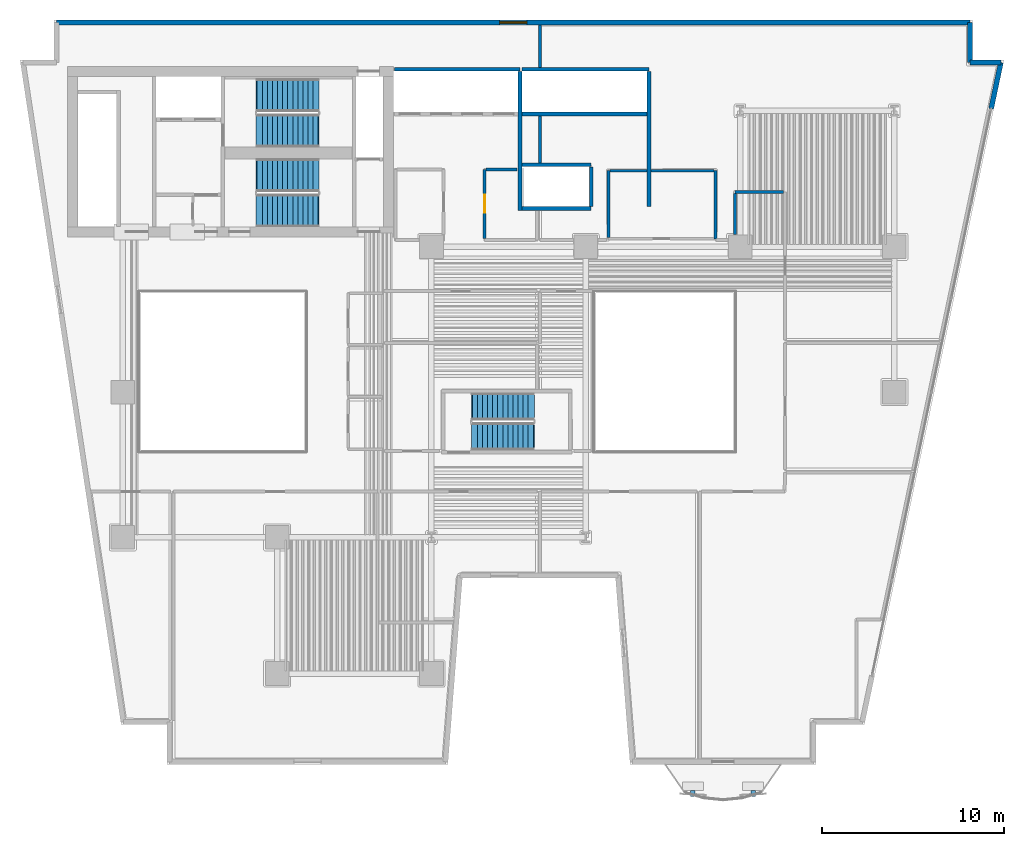
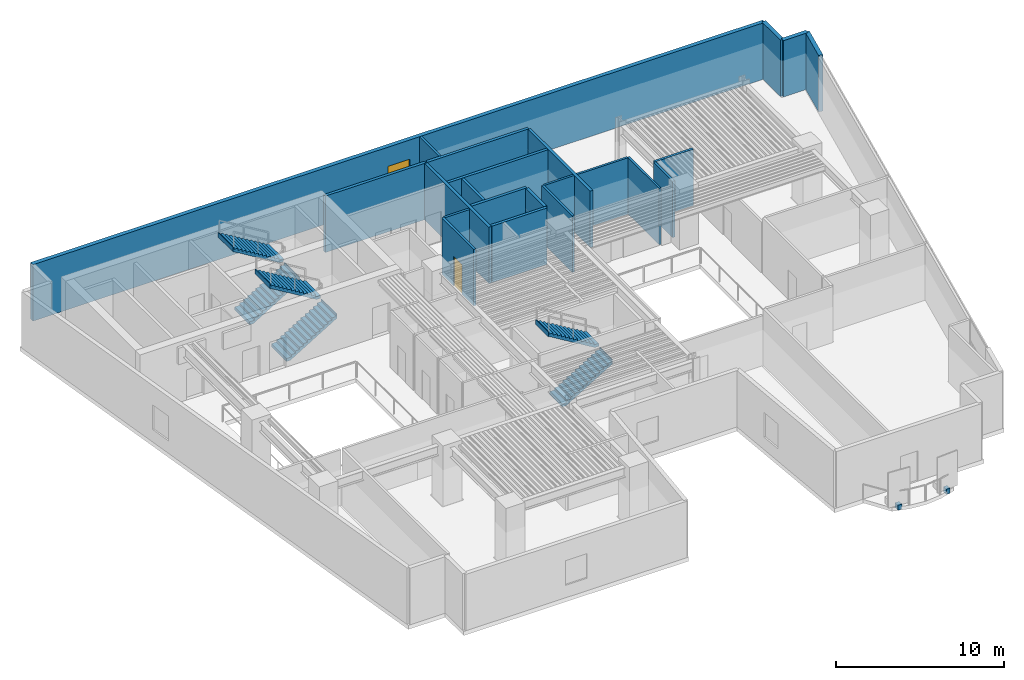
# One storey, part 6 of 11: 22 walls, 6 stair flights, 2 discrete accessories, 1 door, 1 window, 2 openings, 3 elements without a shape of their own.
"""IFC4 building model written with IfcOpenShell, lengths in metres."""

from ifc_helpers import new_model, si_unit, direction, frame, frame_2d, origin, origin_2d, place, context, subcontext, project, spatial, polyline, rectangle, outline, extrude, material, layer, layer_set, type_object, element, fill, aggregate, save


model = new_model("IFC4")

# Units and contexts
model_context = context("Model", 3, precision=1e-05, world=origin(), true_north=direction((0.0, 1.0)))
body_context = subcontext(model_context, "Body", "Model", "MODEL_VIEW")
ifc_project = project(units=[si_unit("LENGTHUNIT", "METRE"), si_unit("AREAUNIT", "SQUARE_METRE"), si_unit("VOLUMEUNIT", "CUBIC_METRE"), si_unit("PLANEANGLEUNIT", "RADIAN"), si_unit("MASSUNIT", "GRAM", prefix="KILO")], contexts=[model_context])

# Site, building, storey
site_placement = place(None, origin())
site = spatial("IfcSite", under=ifc_project, at=site_placement, CompositionType="ELEMENT")
building_placement = place(site_placement, origin())
building = spatial("IfcBuilding", under=site, at=building_placement, Name="Caeloran Harvest Quay", CompositionType="ELEMENT")
storey_placement = place(building_placement, frame((0.0, 0.0, 53.39990234375)))
storey = spatial("IfcBuildingStorey", under=building, at=storey_placement, Name="L12", CompositionType="ELEMENT", Elevation=53.39990234375)

# Wall, opening, window
ifc_material_1 = material(Name="Precast concrete C50/60", Category="concrete")
ifc_layer_1 = layer(ifc_material_1, 0.280029296875, Name="Precast concrete C50/60")
ifc_layer_set_1 = layer_set([ifc_layer_1], Name="Precast concrete C50/60")
wall_type_1 = type_object("IfcWallType", Name="ENV-WALL-EW-280", PredefinedType="STANDARD", material=ifc_layer_set_1)
wall_1_placement = place(storey_placement, frame((4.840087890625, 43.360107421875, 0.0), z_axis=(0.0, 0.0, 1.0), x_axis=(1.0, 0.0, 0.0)))
wall_1 = element("IfcWall", 1, at=wall_1_placement, inside=storey, type_object=wall_type_1, Name="L12 Exterior Precast Concrete Facade Wall 6", PredefinedType="STANDARD", context=body_context, shape_type="SweptSolid", body=[
    extrude(rectangle(XDim=50.31982421875, YDim=0.280029296875, at=frame_2d((25.159912109375, 0.0))), origin(), (0.0, 0.0, 1.0), 4.10009765625),
])
opening_1_placement = place(wall_1_placement, frame((24.409912109375, 0.0, 0.89990234375)))
opening_1 = element("IfcOpeningElement", 2, at=opening_1_placement, cuts=wall_1, Name="Opening W-03", PredefinedType="OPENING", context=body_context, shape_type="SweptSolid", body=[
    extrude(rectangle(XDim=1.5, YDim=1.800048828125, at=frame_2d((0.75, 0.89990234375))), frame((0.0, 0.14990234375, 0.0), z_axis=(0.0, -1.0, 0.0), x_axis=(1.0, 0.0, 0.0)), (0.0, 0.0, 1.0), 0.300048828125),
])
ifc_material_2 = material(Name="Aluminium-Framed Low-E Laminated Glass", Category="aluminium")
window_type = type_object("IfcWindowType", Name="WIN-W-03", PartitioningType="SINGLE_PANEL", PredefinedType="WINDOW", material=ifc_material_2)
window_placement = place(opening_1_placement, origin())
window = element("IfcWindow", 3, at=window_placement, inside=storey, type_object=window_type, Name="L12 Facade Punched Window W-03", OverallHeight=1.800048828125, OverallWidth=1.5, PartitioningType="SINGLE_PANEL", PredefinedType="WINDOW", context=body_context, shape_type="SweptSolid", body=[
    extrude(rectangle(XDim=1.5, YDim=1.800048828125, at=frame_2d((0.75, 0.89990234375))), frame((0.0, 0.030029296875, 0.0), z_axis=(0.0, -1.0, 0.0), x_axis=(1.0, 0.0, 0.0)), (0.0, 0.0, 1.0), 0.06005859375),
])
fill(opening_1, window)

# Walls
wall_2_placement = place(storey_placement, frame((55.159912109375, 43.360107421875, 0.0), z_axis=(0.0, 0.0, 1.0), x_axis=(0.0, -1.0, 0.0)))
element("IfcWall", 4, at=wall_2_placement, inside=storey, type_object=wall_type_1, Name="L12 Exterior Precast Concrete Facade Wall 7", PredefinedType="STANDARD", context=body_context, shape_type="SweptSolid", body=[
    extrude(rectangle(XDim=2.2001953125, YDim=0.280029296875, at=frame_2d((1.10009765625, 0.0))), origin(), (0.0, 0.0, 1.0), 4.10009765625),
])
wall_3_placement = place(storey_placement, frame((55.159912109375, 41.159912109375, 0.0), z_axis=(0.0, 0.0, 1.0), x_axis=(1.0, 0.0, 0.0)))
element("IfcWall", 5, at=wall_3_placement, inside=storey, type_object=wall_type_1, Name="L12 Exterior Precast Concrete Facade Wall 8", PredefinedType="STANDARD", context=body_context, shape_type="SweptSolid", body=[
    extrude(rectangle(XDim=1.705322265625, YDim=0.280029296875, at=frame_2d((0.8525390625, 0.0))), origin(), (0.0, 0.0, 1.0), 4.10009765625),
])
wall_4_placement = place(storey_placement, frame((56.865234375, 41.159912109375, 0.0), z_axis=(0.0, 0.0, 1.0), x_axis=(-0.205551409765, -0.978646319128, 0.0)))
element("IfcWall", 6, at=wall_4_placement, inside=storey, type_object=wall_type_1, Name="L12 Exterior Facade Corner Pier Wall 9A", PredefinedType="STANDARD", context=body_context, shape_type="SweptSolid", body=[
    extrude(rectangle(XDim=2.599853515625, YDim=0.280029296875, at=frame_2d((1.2998046875, 0.0))), origin(), (0.0, 0.0, 1.0), 4.10009765625),
])
ifc_material_3 = material(Name="Autoclaved Aerated Concrete Blockwork and Plasterboard", Category="masonry")
ifc_layer_2 = layer(ifc_material_3, 0.14990234375, Name="Autoclaved Aerated Concrete Blockwork and Plasterboard")
ifc_layer_set_2 = layer_set([ifc_layer_2], Name="Autoclaved Aerated Concrete Blockwork and Plasterboard")
wall_type_2 = type_object("IfcWallType", Name="INT-WALL-PW-150", PredefinedType="PARTITIONING", material=ifc_layer_set_2)
wall_5_placement = place(storey_placement, frame((41.14990234375, 35.199951171875, 0.0), z_axis=(0.0, 0.0, 1.0), x_axis=(0.0, -1.0, 0.0)))
element("IfcWall", 7, at=wall_5_placement, inside=storey, type_object=wall_type_2, Name="L12 Core Telemetry Control Room Partition Wall", PredefinedType="PARTITIONING", context=body_context, shape_type="SweptSolid", body=[
    extrude(rectangle(XDim=3.75, YDim=0.14990234375, at=frame_2d((1.875, 0.0))), origin(), (0.0, 0.0, 1.0), 4.10009765625),
])
wall_6_placement = place(storey_placement, frame((35.25, 31.530029296875, 0.0), z_axis=(0.0, 0.0, 1.0), x_axis=(0.0, 1.0, 0.0)))
element("IfcWall", 8, at=wall_6_placement, inside=storey, type_object=wall_type_2, Name="L12 Core Telemetry Control Room Partition Wall", PredefinedType="PARTITIONING", context=body_context, shape_type="SweptSolid", body=[
    extrude(rectangle(XDim=3.669921875, YDim=0.14990234375, at=frame_2d((1.8349609375, 0.0))), origin(), (0.0, 0.0, 1.0), 4.10009765625),
])
wall_7_placement = place(storey_placement, frame((35.330078125, 35.199951171875, 0.0), z_axis=(0.0, 0.0, 1.0), x_axis=(1.0, 0.0, 0.0)))
element("IfcWall", 9, at=wall_7_placement, inside=storey, type_object=wall_type_2, Name="L12 Core Telemetry Control Room Partition Wall", PredefinedType="PARTITIONING", context=body_context, shape_type="SweptSolid", body=[
    extrude(rectangle(XDim=2.044921875, YDim=0.14990234375, at=frame_2d((1.0224609375, 0.0))), origin(), (0.0, 0.0, 1.0), 4.10009765625),
])
wall_8_placement = place(storey_placement, frame((37.5849609375, 35.199951171875, 0.0), z_axis=(0.0, 0.0, 1.0), x_axis=(1.0, 0.0, 0.0)))
element("IfcWall", 10, at=wall_8_placement, inside=storey, type_object=wall_type_2, Name="L12 Core Telemetry Control Room Partition Wall", PredefinedType="PARTITIONING", context=body_context, shape_type="SweptSolid", body=[
    extrude(rectangle(XDim=3.485107421875, YDim=0.14990234375, at=frame_2d((1.74267578125, 0.0))), origin(), (0.0, 0.0, 1.0), 4.10009765625),
])

# Wall, opening, door
ifc_material_4 = material(Name="Autoclaved Aerated Concrete Blockwork", Category="masonry")
ifc_layer_3 = layer(ifc_material_4, 0.1650390625, Name="Autoclaved Aerated Concrete Blockwork")
ifc_layer_set_3 = layer_set([ifc_layer_3], Name="Autoclaved Aerated Concrete Blockwork")
wall_type_3 = type_object("IfcWallType", Name="INT-WALL-PW-165", PredefinedType="PARTITIONING", material=ifc_layer_set_3)
wall_9_placement = place(storey_placement, frame((28.429931640625, 31.467529296875, 0.0), z_axis=(0.0, 0.0, 1.0), x_axis=(0.0, 1.0, 0.0)))
wall_9 = element("IfcWall", 11, at=wall_9_placement, inside=storey, type_object=wall_type_3, Name="Seedling Sensory Salon Lounge 10 Partition Wall", PredefinedType="PARTITIONING", context=body_context, shape_type="SweptSolid", body=[
    extrude(rectangle(XDim=3.802490234375, YDim=0.1650390625, at=frame_2d((1.9013671875, 0.0))), origin(), (0.0, 0.0, 1.0), 4.10009765625),
])
opening_2_placement = place(wall_9_placement, frame((1.4013671875, 0.0, 0.0)))
opening_2 = element("IfcOpeningElement", 12, at=opening_2_placement, cuts=wall_9, Name="Opening ID-01", PredefinedType="OPENING", context=body_context, shape_type="SweptSolid", body=[
    extrude(rectangle(XDim=1.0, YDim=2.14990234375, at=frame_2d((0.5, 1.074951171875))), frame((0.0, 0.092529296875, 0.0), z_axis=(0.0, -1.0, 0.0), x_axis=(1.0, 0.0, 0.0)), (0.0, 0.0, 1.0), 0.18505859375),
])
ifc_material_5 = material(Name="FSC Solid-Core Ash Timber and Acoustic Seal", Category="wood")
door_type = type_object("IfcDoorType", Name="INTDOOR-ID-01", OperationType="NOTDEFINED", PredefinedType="DOOR", material=ifc_material_5)
door_placement = place(opening_2_placement, origin())
door = element("IfcDoor", 13, at=door_placement, inside=storey, type_object=door_type, Name="Seedling Sensory Salon Lounge 10 Access Door", OperationType="SINGLE_SWING_LEFT", OverallHeight=2.14990234375, OverallWidth=1.0, PredefinedType="DOOR", context=body_context, shape_type="SweptSolid", body=[
    extrude(rectangle(XDim=1.0, YDim=2.14990234375, at=frame_2d((0.5, 1.074951171875))), frame((0.0, 0.02490234375, 0.0), z_axis=(0.0, -1.0, 0.0), x_axis=(1.0, 0.0, 0.0)), (0.0, 0.0, 1.0), 0.050048828125),
])
fill(opening_2, door)

# Walls
wall_10_placement = place(storey_placement, frame((28.517578125, 35.27001953125, 0.0), z_axis=(0.0, 0.0, 1.0), x_axis=(1.0, 0.0, 0.0)))
element("IfcWall", 14, at=wall_10_placement, inside=storey, type_object=wall_type_3, Name="Seedling Sensory Salon Lounge 10 Partition Wall", PredefinedType="PARTITIONING", context=body_context, shape_type="SweptSolid", body=[
    extrude(rectangle(XDim=1.702392578125, YDim=0.1650390625, at=frame_2d((0.85107421875, 0.0))), origin(), (0.0, 0.0, 1.0), 4.10009765625),
])
wall_11_placement = place(storey_placement, frame((31.47998046875, 35.635009765625, 0.0), z_axis=(0.0, 0.0, 1.0), x_axis=(0.0, 1.0, 0.0)))
element("IfcWall", 15, at=wall_11_placement, inside=storey, type_object=wall_type_3, Name="Harvest Seminar Room 12 Partition Wall", PredefinedType="PARTITIONING", context=body_context, shape_type="SweptSolid", body=[
    extrude(rectangle(XDim=2.580078125, YDim=0.1650390625, at=frame_2d((1.2900390625, 0.0))), origin(), (0.0, 0.0, 1.0), 4.10009765625),
])
wall_12_placement = place(storey_placement, frame((31.47998046875, 40.885009765625, 0.0), z_axis=(0.0, 0.0, 1.0), x_axis=(0.0, 1.0, 0.0)))
element("IfcWall", 16, at=wall_12_placement, inside=storey, type_object=wall_type_3, Name="Harvest Seminar Room 12 Partition Wall", PredefinedType="PARTITIONING", context=body_context, shape_type="SweptSolid", body=[
    extrude(rectangle(XDim=2.330078125, YDim=0.1650390625, at=frame_2d((1.1650390625, 0.0))), origin(), (0.0, 0.0, 1.0), 4.10009765625),
])
wall_13_placement = place(storey_placement, frame((44.892578125, 34.030029296875, 0.0), z_axis=(0.0, 0.0, 1.0), x_axis=(-1.0, 0.0, 0.0)))
element("IfcWall", 17, at=wall_13_placement, inside=storey, type_object=wall_type_3, Name="Harvest Seminar Room 12 Partition Wall", PredefinedType="PARTITIONING", context=body_context, shape_type="SweptSolid", body=[
    extrude(rectangle(XDim=2.672607421875, YDim=0.1650390625, at=frame_2d((1.33642578125, 0.0))), origin(), (0.0, 0.0, 1.0), 4.10009765625),
])
wall_14_placement = place(storey_placement, frame((42.219970703125, 33.9423828125, 0.0), z_axis=(0.0, 0.0, 1.0), x_axis=(0.0, -1.0, 0.0)))
element("IfcWall", 18, at=wall_14_placement, inside=storey, type_object=wall_type_3, Name="Harvest Seminar Room 12 Partition Wall", PredefinedType="PARTITIONING", context=body_context, shape_type="SweptSolid", body=[
    extrude(rectangle(XDim=2.267333984375, YDim=0.1650390625, at=frame_2d((1.1337890625, 0.0))), origin(), (0.0, 0.0, 1.0), 4.10009765625),
])
ifc_material_6 = material(Name="Concrete C50/60", Category="concrete")
ifc_layer_4 = layer(ifc_material_6, 0.199951171875, Name="Concrete C50/60")
ifc_layer_set_4 = layer_set([ifc_layer_4], Name="Concrete C50/60")
wall_type_4 = type_object("IfcWallType", Name="INT-WALL-SW-200", PredefinedType="PARTITIONING", material=ifc_layer_set_4)
wall_15_placement = place(storey_placement, frame((23.469970703125, 40.780029296875, 0.0), z_axis=(0.0, 0.0, 1.0), x_axis=(1.0, 0.0, 0.0)))
element("IfcWall", 19, at=wall_15_placement, inside=storey, type_object=wall_type_4, Name="L12 Bank 1 Lift Shaft North Wall", PredefinedType="PARTITIONING", context=body_context, shape_type="SweptSolid", body=[
    extrude(rectangle(XDim=6.909912109375, YDim=0.199951171875, at=frame_2d((3.455078125, 0.0))), origin(), (0.0, 0.0, 1.0), 4.10009765625),
])
wall_16_placement = place(storey_placement, frame((30.3798828125, 33.02001953125, 0.0), z_axis=(0.0, 0.0, 1.0), x_axis=(0.0, 1.0, 0.0)))
element("IfcWall", 20, at=wall_16_placement, inside=storey, type_object=wall_type_4, Name="L12 Bank 1 Lift Shaft East Wall", PredefinedType="PARTITIONING", context=body_context, shape_type="SweptSolid", body=[
    extrude(rectangle(XDim=7.639892578125, YDim=0.199951171875, at=frame_2d((3.81982421875, 0.0))), origin(), (0.0, 0.0, 1.0), 4.10009765625),
])
wall_17_placement = place(storey_placement, frame((30.5, 40.780029296875, 0.0), z_axis=(0.0, 0.0, 1.0), x_axis=(1.0, 0.0, 0.0)))
element("IfcWall", 21, at=wall_17_placement, inside=storey, type_object=wall_type_4, Name="L12 Bank 2 Lift Shaft North Wall", PredefinedType="PARTITIONING", context=body_context, shape_type="SweptSolid", body=[
    extrude(rectangle(XDim=6.97998046875, YDim=0.199951171875, at=frame_2d((3.489990234375, 0.0))), origin(), (0.0, 0.0, 1.0), 4.10009765625),
])
wall_18_placement = place(storey_placement, frame((37.47998046875, 33.239990234375, 0.0), z_axis=(0.0, 0.0, 1.0), x_axis=(0.0, 1.0, 0.0)))
element("IfcWall", 22, at=wall_18_placement, inside=storey, type_object=wall_type_4, Name="L12 Bank 2 Lift Shaft East Wall", PredefinedType="PARTITIONING", context=body_context, shape_type="SweptSolid", body=[
    extrude(rectangle(XDim=7.419921875, YDim=0.199951171875, at=frame_2d((3.7099609375, 0.0))), origin(), (0.0, 0.0, 1.0), 4.10009765625),
])
wall_19_placement = place(storey_placement, frame((30.5, 38.320068359375, 0.0), z_axis=(0.0, 0.0, 1.0), x_axis=(1.0, 0.0, 0.0)))
element("IfcWall", 23, at=wall_19_placement, inside=storey, type_object=wall_type_4, Name="L12 Bank 2 Lift Landing Front Wall", PredefinedType="PARTITIONING", context=body_context, shape_type="SweptSolid", body=[
    extrude(rectangle(XDim=6.860107421875, YDim=0.199951171875, at=frame_2d((3.43017578125, 0.0))), origin(), (0.0, 0.0, 1.0), 4.10009765625),
])
for number, where, z_axis, x_axis, name in (
    (24, (30.5, 35.530029296875, 0.0), (0.0, 0.0, 1.0), (1.0, 0.0, 0.0), "L12 Shuttle Lift Landing Front Wall"),
    (25, (30.5, 33.1201171875, 0.0), (0.0, 0.0, 1.0), (1.0, 0.0, 0.0), "L12 Shuttle Lift Shaft South Wall"),
):
    element("IfcWall", number, at=place(storey_placement, frame(where, z_axis=z_axis, x_axis=x_axis)), inside=storey, type_object=wall_type_4, Name=name, PredefinedType="PARTITIONING", context=body_context, shape_type="SweptSolid", body=[
        extrude(rectangle(XDim=3.800048828125, YDim=0.199951171875, at=frame_2d((1.89990234375, 0.0))), origin(), (0.0, 0.0, 1.0), 4.10009765625),
    ])
wall_20_placement = place(storey_placement, frame((34.300048828125, 33.239990234375, 0.0), z_axis=(0.0, 0.0, 1.0), x_axis=(0.0, 1.0, 0.0)))
element("IfcWall", 26, at=wall_20_placement, inside=storey, type_object=wall_type_4, Name="L12 Shuttle Lift Shaft East Wall", PredefinedType="PARTITIONING", context=body_context, shape_type="SweptSolid", body=[
    extrude(rectangle(XDim=2.169921875, YDim=0.199951171875, at=frame_2d((1.0849609375, 0.0))), origin(), (0.0, 0.0, 1.0), 4.10009765625),
])

# Stair, stair flights
stair_type_1 = type_object("IfcStairType", Name="STAIR-STC-180", PredefinedType="HALF_TURN_STAIR", material=ifc_material_6)
stair_1_placement = place(storey_placement, origin())
stair_1 = element("IfcStair", 27, at=stair_1_placement, inside=storey, type_object=stair_type_1, Name="L12 Core Pressurized Exit Stair ST-C1", PredefinedType="HALF_TURN_STAIR")
stair_flight_type_1 = type_object("IfcStairFlightType", Name="FLIGHT-STC-180", PredefinedType="STRAIGHT", material=ifc_material_6)
stair_flight_1_placement = place(storey_placement, frame((15.89990234375, 37.39990234375, 0.0), z_axis=(0.0, 0.0, 1.0), x_axis=(1.0, 0.0, 0.0)))
stair_flight_1 = element("IfcStairFlight", 28, at=stair_flight_1_placement, type_object=stair_flight_type_1, Name="ST-C1 flight 1", NumberOfRisers=13, NumberOfTreads=12, PredefinedType="STRAIGHT", RiserHeight=0.169230769, TreadLength=0.28, context=body_context, shape_type="SweptSolid", body=[
    extrude(outline(polyline([(-0.054931640625, -0.044921875), (-0.054931640625, -0.031494140625), (-0.054931640625, -0.018310546875), (-0.054931640625, -0.0048828125), (-0.054931640625, 0.008544921875), (-0.054931640625, 0.02197265625), (-0.054931640625, 0.035400390625), (-0.054931640625, 0.048828125), (-0.054931640625, 0.06201171875), (-0.054931640625, 0.075439453125), (-0.054931640625, 0.0888671875), (-0.054931640625, 0.102294921875), (-0.054931640625, 0.11572265625), (-0.054931640625, 0.129150390625), (-0.054931640625, 0.142333984375), (-0.054931640625, 0.15576171875), (-0.054931640625, 0.169189453125), (0.280029296875, 0.169189453125), (0.280029296875, 0.33837890625), (0.56005859375, 0.33837890625), (0.56005859375, 0.5078125), (0.840087890625, 0.5078125), (0.840087890625, 0.677001953125), (1.1201171875, 0.677001953125), (1.1201171875, 0.84619140625), (1.39990234375, 0.84619140625), (1.39990234375, 1.015380859375), (1.679931640625, 1.015380859375), (1.679931640625, 1.1845703125), (1.9599609375, 1.1845703125), (1.9599609375, 1.353759765625), (2.239990234375, 1.353759765625), (2.239990234375, 1.523193359375), (2.52001953125, 1.523193359375), (2.52001953125, 1.6923828125), (2.800048828125, 1.6923828125), (2.800048828125, 1.861572265625), (3.080078125, 1.861572265625), (3.080078125, 2.03076171875), (3.360107421875, 2.03076171875), (3.360107421875, 2.199951171875), (3.4150390625, 2.199951171875), (3.4150390625, 2.178466796875), (3.4150390625, 2.156982421875), (3.4150390625, 2.135498046875), (3.4150390625, 2.114013671875), (3.4150390625, 2.09228515625), (3.4150390625, 2.07080078125), (3.4150390625, 2.04931640625), (3.4150390625, 2.02783203125), (3.4150390625, 2.00634765625), (3.4150390625, 1.98486328125), (3.4150390625, 1.963134765625), (3.4150390625, 1.941650390625), (3.4150390625, 1.920166015625), (3.4150390625, 1.898681640625), (3.4150390625, 1.877197265625), (3.4150390625, 1.855712890625), (3.360107421875, 1.855712890625), (0.21533203125, -0.044921875), (-0.054931640625, -0.044921875)])), frame((0.0, 0.89990234375, 0.0), z_axis=(0.0, -1.0, 0.0), x_axis=(1.0, 0.0, 0.0)), (0.0, 0.0, 1.0), 1.800048828125),
])
stair_flight_2_placement = place(storey_placement, frame((19.260009765625, 39.35009765625, 2.2001953125), z_axis=(0.0, 0.0, 1.0), x_axis=(-1.0, 0.0, 0.0)))
stair_flight_2 = element("IfcStairFlight", 29, at=stair_flight_2_placement, type_object=stair_flight_type_1, Name="ST-C1 flight 2", NumberOfRisers=13, NumberOfTreads=12, PredefinedType="STRAIGHT", RiserHeight=0.169230769, TreadLength=0.28, context=body_context, shape_type="SweptSolid", body=[
    extrude(outline(polyline([(-0.054931640625, -0.044921875), (-0.054931640625, -0.031494140625), (-0.054931640625, -0.018310546875), (-0.054931640625, -0.0048828125), (-0.054931640625, 0.008544921875), (-0.054931640625, 0.02197265625), (-0.054931640625, 0.035400390625), (-0.054931640625, 0.048828125), (-0.054931640625, 0.06201171875), (-0.054931640625, 0.075439453125), (-0.054931640625, 0.0888671875), (-0.054931640625, 0.102294921875), (-0.054931640625, 0.11572265625), (-0.054931640625, 0.129150390625), (-0.054931640625, 0.142333984375), (-0.054931640625, 0.15576171875), (-0.054931640625, 0.169189453125), (0.280029296875, 0.169189453125), (0.280029296875, 0.33837890625), (0.56005859375, 0.33837890625), (0.56005859375, 0.5078125), (0.840087890625, 0.5078125), (0.840087890625, 0.677001953125), (1.1201171875, 0.677001953125), (1.1201171875, 0.84619140625), (1.39990234375, 0.84619140625), (1.39990234375, 1.015380859375), (1.679931640625, 1.015380859375), (1.679931640625, 1.1845703125), (1.9599609375, 1.1845703125), (1.9599609375, 1.353759765625), (2.239990234375, 1.353759765625), (2.239990234375, 1.523193359375), (2.52001953125, 1.523193359375), (2.52001953125, 1.6923828125), (2.800048828125, 1.6923828125), (2.800048828125, 1.861572265625), (3.080078125, 1.861572265625), (3.080078125, 2.03076171875), (3.360107421875, 2.03076171875), (3.360107421875, 2.199951171875), (3.4150390625, 2.199951171875), (3.4150390625, 2.178466796875), (3.4150390625, 2.156982421875), (3.4150390625, 2.135498046875), (3.4150390625, 2.114013671875), (3.4150390625, 2.09228515625), (3.4150390625, 2.07080078125), (3.4150390625, 2.04931640625), (3.4150390625, 2.02783203125), (3.4150390625, 2.00634765625), (3.4150390625, 1.98486328125), (3.4150390625, 1.963134765625), (3.4150390625, 1.941650390625), (3.4150390625, 1.920166015625), (3.4150390625, 1.898681640625), (3.4150390625, 1.877197265625), (3.4150390625, 1.855712890625), (3.360107421875, 1.855712890625), (0.21533203125, -0.044921875), (-0.054931640625, -0.044921875)])), frame((0.0, 0.89990234375, 0.0), z_axis=(0.0, -1.0, 0.0), x_axis=(1.0, 0.0, 0.0)), (0.0, 0.0, 1.0), 1.800048828125),
])
aggregate(stair_1, [stair_flight_1, stair_flight_2])

stair_2_placement = place(storey_placement, origin())
stair_2 = element("IfcStair", 30, at=stair_2_placement, inside=storey, type_object=stair_type_1, Name="L12 Core Pressurized Exit Stair ST-C2", PredefinedType="HALF_TURN_STAIR")
stair_flight_3_placement = place(storey_placement, frame((15.89990234375, 33.0, 0.0), z_axis=(0.0, 0.0, 1.0), x_axis=(1.0, 0.0, 0.0)))
stair_flight_3 = element("IfcStairFlight", 31, at=stair_flight_3_placement, type_object=stair_flight_type_1, Name="ST-C2 flight 1", NumberOfRisers=13, NumberOfTreads=12, PredefinedType="STRAIGHT", RiserHeight=0.169230769, TreadLength=0.28, context=body_context, shape_type="SweptSolid", body=[
    extrude(outline(polyline([(-0.054931640625, -0.044921875), (-0.054931640625, -0.031494140625), (-0.054931640625, -0.018310546875), (-0.054931640625, -0.0048828125), (-0.054931640625, 0.008544921875), (-0.054931640625, 0.02197265625), (-0.054931640625, 0.035400390625), (-0.054931640625, 0.048828125), (-0.054931640625, 0.06201171875), (-0.054931640625, 0.075439453125), (-0.054931640625, 0.0888671875), (-0.054931640625, 0.102294921875), (-0.054931640625, 0.11572265625), (-0.054931640625, 0.129150390625), (-0.054931640625, 0.142333984375), (-0.054931640625, 0.15576171875), (-0.054931640625, 0.169189453125), (0.280029296875, 0.169189453125), (0.280029296875, 0.33837890625), (0.56005859375, 0.33837890625), (0.56005859375, 0.5078125), (0.840087890625, 0.5078125), (0.840087890625, 0.677001953125), (1.1201171875, 0.677001953125), (1.1201171875, 0.84619140625), (1.39990234375, 0.84619140625), (1.39990234375, 1.015380859375), (1.679931640625, 1.015380859375), (1.679931640625, 1.1845703125), (1.9599609375, 1.1845703125), (1.9599609375, 1.353759765625), (2.239990234375, 1.353759765625), (2.239990234375, 1.523193359375), (2.52001953125, 1.523193359375), (2.52001953125, 1.6923828125), (2.800048828125, 1.6923828125), (2.800048828125, 1.861572265625), (3.080078125, 1.861572265625), (3.080078125, 2.03076171875), (3.360107421875, 2.03076171875), (3.360107421875, 2.199951171875), (3.4150390625, 2.199951171875), (3.4150390625, 2.178466796875), (3.4150390625, 2.156982421875), (3.4150390625, 2.135498046875), (3.4150390625, 2.114013671875), (3.4150390625, 2.09228515625), (3.4150390625, 2.07080078125), (3.4150390625, 2.04931640625), (3.4150390625, 2.02783203125), (3.4150390625, 2.00634765625), (3.4150390625, 1.98486328125), (3.4150390625, 1.963134765625), (3.4150390625, 1.941650390625), (3.4150390625, 1.920166015625), (3.4150390625, 1.898681640625), (3.4150390625, 1.877197265625), (3.4150390625, 1.855712890625), (3.360107421875, 1.855712890625), (0.21533203125, -0.044921875), (-0.054931640625, -0.044921875)])), frame((0.0, 0.89990234375, 0.0), z_axis=(0.0, -1.0, 0.0), x_axis=(1.0, 0.0, 0.0)), (0.0, 0.0, 1.0), 1.800048828125),
])
stair_flight_4_placement = place(storey_placement, frame((19.260009765625, 34.949951171875, 2.2001953125), z_axis=(0.0, 0.0, 1.0), x_axis=(-1.0, 0.0, 0.0)))
stair_flight_4 = element("IfcStairFlight", 32, at=stair_flight_4_placement, type_object=stair_flight_type_1, Name="ST-C2 flight 2", NumberOfRisers=13, NumberOfTreads=12, PredefinedType="STRAIGHT", RiserHeight=0.169230769, TreadLength=0.28, context=body_context, shape_type="SweptSolid", body=[
    extrude(outline(polyline([(-0.054931640625, -0.044921875), (-0.054931640625, -0.031494140625), (-0.054931640625, -0.018310546875), (-0.054931640625, -0.0048828125), (-0.054931640625, 0.008544921875), (-0.054931640625, 0.02197265625), (-0.054931640625, 0.035400390625), (-0.054931640625, 0.048828125), (-0.054931640625, 0.06201171875), (-0.054931640625, 0.075439453125), (-0.054931640625, 0.0888671875), (-0.054931640625, 0.102294921875), (-0.054931640625, 0.11572265625), (-0.054931640625, 0.129150390625), (-0.054931640625, 0.142333984375), (-0.054931640625, 0.15576171875), (-0.054931640625, 0.169189453125), (0.280029296875, 0.169189453125), (0.280029296875, 0.33837890625), (0.56005859375, 0.33837890625), (0.56005859375, 0.5078125), (0.840087890625, 0.5078125), (0.840087890625, 0.677001953125), (1.1201171875, 0.677001953125), (1.1201171875, 0.84619140625), (1.39990234375, 0.84619140625), (1.39990234375, 1.015380859375), (1.679931640625, 1.015380859375), (1.679931640625, 1.1845703125), (1.9599609375, 1.1845703125), (1.9599609375, 1.353759765625), (2.239990234375, 1.353759765625), (2.239990234375, 1.523193359375), (2.52001953125, 1.523193359375), (2.52001953125, 1.6923828125), (2.800048828125, 1.6923828125), (2.800048828125, 1.861572265625), (3.080078125, 1.861572265625), (3.080078125, 2.03076171875), (3.360107421875, 2.03076171875), (3.360107421875, 2.199951171875), (3.4150390625, 2.199951171875), (3.4150390625, 2.178466796875), (3.4150390625, 2.156982421875), (3.4150390625, 2.135498046875), (3.4150390625, 2.114013671875), (3.4150390625, 2.09228515625), (3.4150390625, 2.07080078125), (3.4150390625, 2.04931640625), (3.4150390625, 2.02783203125), (3.4150390625, 2.00634765625), (3.4150390625, 1.98486328125), (3.4150390625, 1.963134765625), (3.4150390625, 1.941650390625), (3.4150390625, 1.920166015625), (3.4150390625, 1.898681640625), (3.4150390625, 1.877197265625), (3.4150390625, 1.855712890625), (3.360107421875, 1.855712890625), (0.21533203125, -0.044921875), (-0.054931640625, -0.044921875)])), frame((0.0, 0.89990234375, 0.0), z_axis=(0.0, -1.0, 0.0), x_axis=(1.0, 0.0, 0.0)), (0.0, 0.0, 1.0), 1.800048828125),
])
aggregate(stair_2, [stair_flight_3, stair_flight_4])

stair_type_2 = type_object("IfcStairType", Name="STAIR-STW-150", PredefinedType="HALF_TURN_STAIR", material=ifc_material_6)
stair_3_placement = place(storey_placement, origin())
stair_3 = element("IfcStair", 33, at=stair_3_placement, inside=storey, type_object=stair_type_2, Name="L12 East Wing Protected Exit Stair ST-W1", PredefinedType="HALF_TURN_STAIR")
stair_flight_type_2 = type_object("IfcStairFlightType", Name="FLIGHT-STW-150", PredefinedType="STRAIGHT", material=ifc_material_6)
stair_flight_5_placement = place(storey_placement, frame((27.75, 20.550048828125, 0.0), z_axis=(0.0, 0.0, 1.0), x_axis=(1.0, 0.0, 0.0)))
stair_flight_5 = element("IfcStairFlight", 34, at=stair_flight_5_placement, type_object=stair_flight_type_2, Name="ST-W1 flight 1", NumberOfRisers=13, NumberOfTreads=12, PredefinedType="STRAIGHT", RiserHeight=0.169230769, TreadLength=0.28, context=body_context, shape_type="SweptSolid", body=[
    extrude(outline(polyline([(-0.054931640625, -0.044921875), (-0.054931640625, -0.031494140625), (-0.054931640625, -0.018310546875), (-0.054931640625, -0.0048828125), (-0.054931640625, 0.008544921875), (-0.054931640625, 0.02197265625), (-0.054931640625, 0.035400390625), (-0.054931640625, 0.048828125), (-0.054931640625, 0.06201171875), (-0.054931640625, 0.075439453125), (-0.054931640625, 0.0888671875), (-0.054931640625, 0.102294921875), (-0.054931640625, 0.11572265625), (-0.054931640625, 0.129150390625), (-0.054931640625, 0.142333984375), (-0.054931640625, 0.15576171875), (-0.054931640625, 0.169189453125), (0.280029296875, 0.169189453125), (0.280029296875, 0.33837890625), (0.56005859375, 0.33837890625), (0.56005859375, 0.5078125), (0.840087890625, 0.5078125), (0.840087890625, 0.677001953125), (1.1201171875, 0.677001953125), (1.1201171875, 0.84619140625), (1.39990234375, 0.84619140625), (1.39990234375, 1.015380859375), (1.679931640625, 1.015380859375), (1.679931640625, 1.1845703125), (1.9599609375, 1.1845703125), (1.9599609375, 1.353759765625), (2.239990234375, 1.353759765625), (2.239990234375, 1.523193359375), (2.52001953125, 1.523193359375), (2.52001953125, 1.6923828125), (2.800048828125, 1.6923828125), (2.800048828125, 1.861572265625), (3.080078125, 1.861572265625), (3.080078125, 2.03076171875), (3.360107421875, 2.03076171875), (3.360107421875, 2.199951171875), (3.4150390625, 2.199951171875), (3.4150390625, 2.178466796875), (3.4150390625, 2.156982421875), (3.4150390625, 2.135498046875), (3.4150390625, 2.114013671875), (3.4150390625, 2.09228515625), (3.4150390625, 2.07080078125), (3.4150390625, 2.04931640625), (3.4150390625, 2.02783203125), (3.4150390625, 2.00634765625), (3.4150390625, 1.98486328125), (3.4150390625, 1.963134765625), (3.4150390625, 1.941650390625), (3.4150390625, 1.920166015625), (3.4150390625, 1.898681640625), (3.4150390625, 1.877197265625), (3.4150390625, 1.855712890625), (3.360107421875, 1.855712890625), (0.21533203125, -0.044921875), (-0.054931640625, -0.044921875)])), frame((0.0, 0.75, 0.0), z_axis=(0.0, -1.0, 0.0), x_axis=(1.0, 0.0, 0.0)), (0.0, 0.0, 1.0), 1.5),
])
stair_flight_6_placement = place(storey_placement, frame((31.110107421875, 22.199951171875, 2.2001953125), z_axis=(0.0, 0.0, 1.0), x_axis=(-1.0, 0.0, 0.0)))
stair_flight_6 = element("IfcStairFlight", 35, at=stair_flight_6_placement, type_object=stair_flight_type_2, Name="ST-W1 flight 2", NumberOfRisers=13, NumberOfTreads=12, PredefinedType="STRAIGHT", RiserHeight=0.169230769, TreadLength=0.28, context=body_context, shape_type="SweptSolid", body=[
    extrude(outline(polyline([(-0.054931640625, -0.044921875), (-0.054931640625, -0.031494140625), (-0.054931640625, -0.018310546875), (-0.054931640625, -0.0048828125), (-0.054931640625, 0.008544921875), (-0.054931640625, 0.02197265625), (-0.054931640625, 0.035400390625), (-0.054931640625, 0.048828125), (-0.054931640625, 0.06201171875), (-0.054931640625, 0.075439453125), (-0.054931640625, 0.0888671875), (-0.054931640625, 0.102294921875), (-0.054931640625, 0.11572265625), (-0.054931640625, 0.129150390625), (-0.054931640625, 0.142333984375), (-0.054931640625, 0.15576171875), (-0.054931640625, 0.169189453125), (0.280029296875, 0.169189453125), (0.280029296875, 0.33837890625), (0.56005859375, 0.33837890625), (0.56005859375, 0.5078125), (0.840087890625, 0.5078125), (0.840087890625, 0.677001953125), (1.1201171875, 0.677001953125), (1.1201171875, 0.84619140625), (1.39990234375, 0.84619140625), (1.39990234375, 1.015380859375), (1.679931640625, 1.015380859375), (1.679931640625, 1.1845703125), (1.9599609375, 1.1845703125), (1.9599609375, 1.353759765625), (2.239990234375, 1.353759765625), (2.239990234375, 1.523193359375), (2.52001953125, 1.523193359375), (2.52001953125, 1.6923828125), (2.800048828125, 1.6923828125), (2.800048828125, 1.861572265625), (3.080078125, 1.861572265625), (3.080078125, 2.03076171875), (3.360107421875, 2.03076171875), (3.360107421875, 2.199951171875), (3.4150390625, 2.199951171875), (3.4150390625, 2.178466796875), (3.4150390625, 2.156982421875), (3.4150390625, 2.135498046875), (3.4150390625, 2.114013671875), (3.4150390625, 2.09228515625), (3.4150390625, 2.07080078125), (3.4150390625, 2.04931640625), (3.4150390625, 2.02783203125), (3.4150390625, 2.00634765625), (3.4150390625, 1.98486328125), (3.4150390625, 1.963134765625), (3.4150390625, 1.941650390625), (3.4150390625, 1.920166015625), (3.4150390625, 1.898681640625), (3.4150390625, 1.877197265625), (3.4150390625, 1.855712890625), (3.360107421875, 1.855712890625), (0.21533203125, -0.044921875), (-0.054931640625, -0.044921875)])), frame((0.0, 0.75, 0.0), z_axis=(0.0, -1.0, 0.0), x_axis=(1.0, 0.0, 0.0)), (0.0, 0.0, 1.0), 1.5),
])
aggregate(stair_3, [stair_flight_5, stair_flight_6])

# Discrete accessories
ifc_material_7 = material(Name="Stainless Steel Grade 316L", Category="steel")
discrete_accessory_type = type_object("IfcDiscreteAccessoryType", Name="BRACKET-SCREEN-SS", PredefinedType="BRACKET", material=ifc_material_7)
for number, where, z_axis, x_axis, name in (
    (36, (43.218505859375, 0.898681640625, -0.2197265625), (0.0, 0.0, 1.0), (1.0, 0.0, 0.0), "L12 Balcony Screen Support Bracket 1"),
    (37, (39.8984375, 0.898681640625, -0.2197265625), (0.0, 0.0, 1.0), (1.0, 0.0, 0.0), "L12 Balcony Screen Support Bracket 2"),
):
    element("IfcDiscreteAccessory", number, at=place(storey_placement, frame(where, z_axis=z_axis, x_axis=x_axis)), inside=storey, type_object=discrete_accessory_type, Name=name, PredefinedType="BRACKET", context=body_context, shape_type="SweptSolid", body=[
        extrude(rectangle(XDim=0.260009765625, YDim=0.340087890625, at=origin_2d()), origin(), (0.0, 0.0, 1.0), 0.360107421875),
    ])

save(model, "model.ifc")
